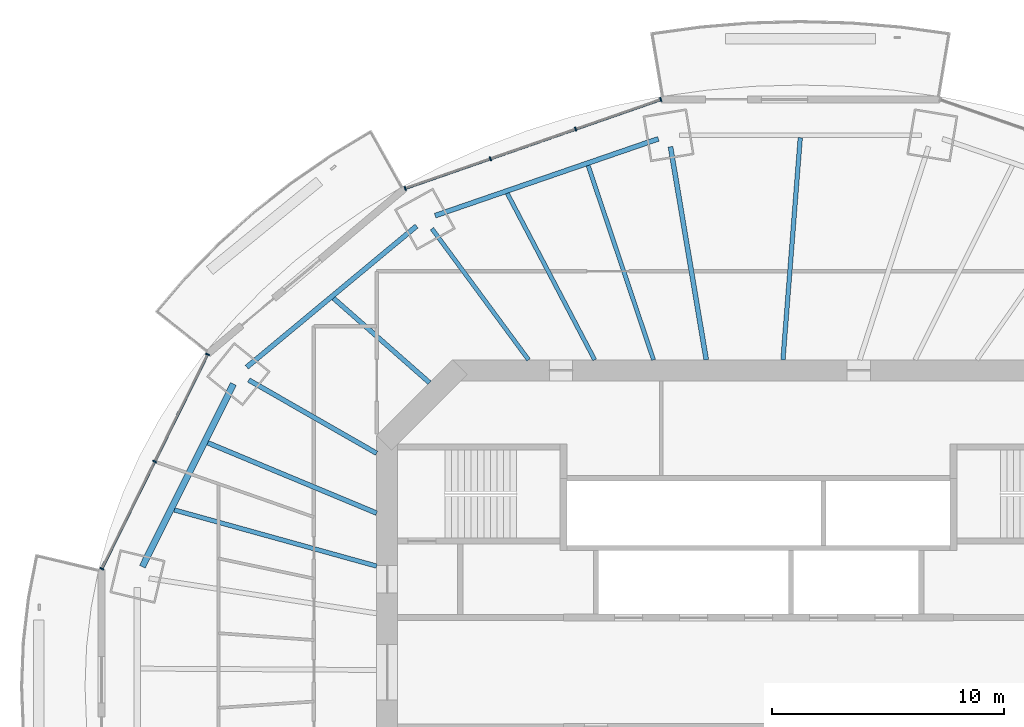
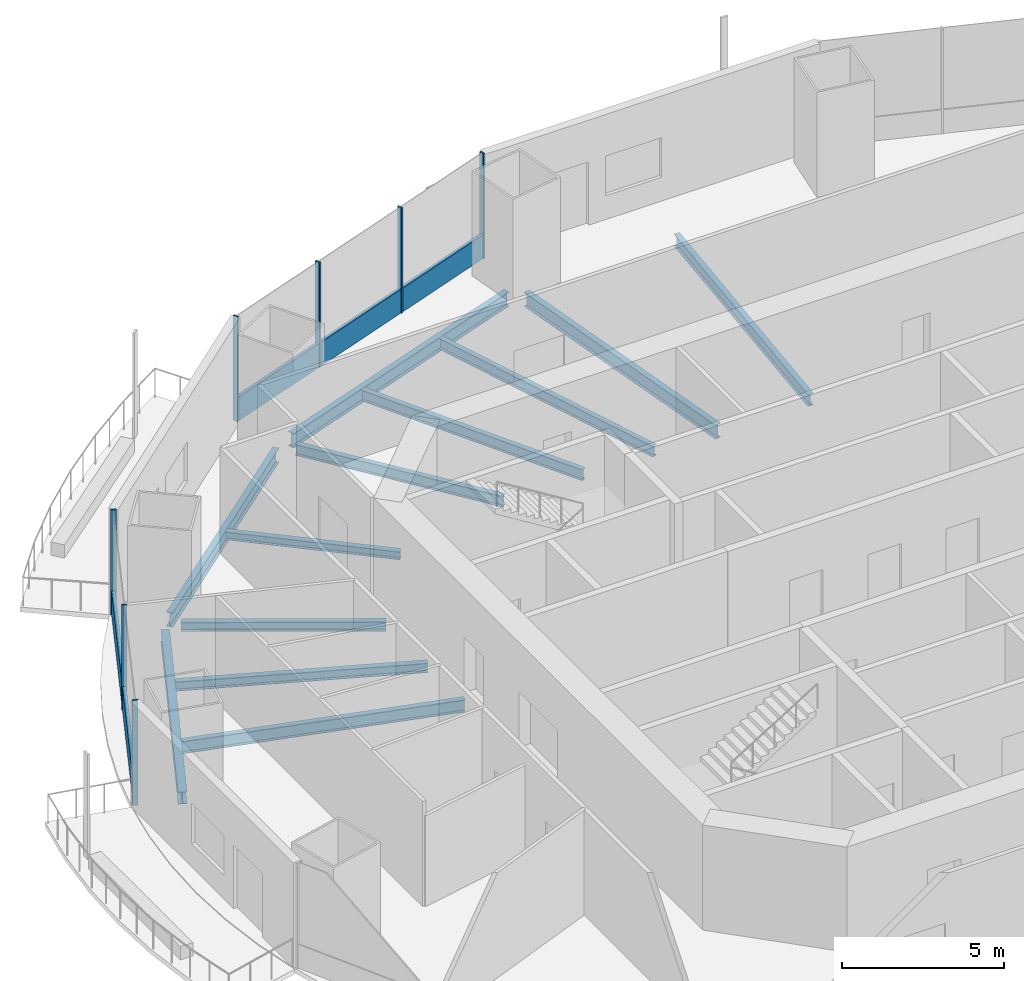
# One storey, part 6 of 19: 12 beams, 9 members, 2 elements without a shape of their own.
"""IFC4 building model written with IfcOpenShell, lengths in metres."""

from ifc_helpers import new_model, si_unit, direction, frame, origin, origin_2d, place, context, subcontext, project, spatial, rectangle, i_section, extrude, material, material_profile, profile_set, type_object, element, aggregate, save


model = new_model("IFC4")

# Units and contexts
model_context = context("Model", 3, precision=1e-05, world=origin(), true_north=direction((0.0, 1.0)))
body_context = subcontext(model_context, "Body", "Model", "MODEL_VIEW")
ifc_project = project(units=[si_unit("LENGTHUNIT", "METRE"), si_unit("AREAUNIT", "SQUARE_METRE"), si_unit("VOLUMEUNIT", "CUBIC_METRE"), si_unit("PLANEANGLEUNIT", "RADIAN"), si_unit("MASSUNIT", "GRAM", prefix="KILO")], contexts=[model_context])

# Site, building, storey
site_placement = place(None, origin())
site = spatial("IfcSite", under=ifc_project, at=site_placement, CompositionType="ELEMENT")
building_placement = place(site_placement, origin())
building = spatial("IfcBuilding", under=site, at=building_placement, Name="Marenthal Gate Tower", CompositionType="ELEMENT")
storey_placement = place(building_placement, frame((0.0, 0.0, 231.60009765625)))
storey = spatial("IfcBuildingStorey", under=building, at=storey_placement, Name="L51", CompositionType="ELEMENT", Elevation=231.60009765625)

# Curtain wall, members
ifc_material_1 = material(Name="Aluminium and glass", Category="aluminium")
curtain_wall_type = type_object("IfcCurtainWallType", Name="Curtain wall typical mid", PredefinedType="NOTDEFINED", material=ifc_material_1)
curtain_wall_1_placement = place(storey_placement, origin())
curtain_wall_1 = element("IfcCurtainWall", 1, at=curtain_wall_1_placement, inside=storey, type_object=curtain_wall_type, Name="Curtain wall L51 bay 5", PredefinedType="NOTDEFINED")
ifc_material_2 = material(Name="Aluminium", Category="aluminium")
ifc_material_profile_1 = material_profile(ifc_material_2, rectangle(XDim=0.179931640625, YDim=0.06005859375, at=origin_2d()), Name="60x180 aluminium mullion")
ifc_profile_set_1 = profile_set([ifc_material_profile_1], Name="Aluminium")
member_type_1 = type_object("IfcMemberType", Name="Mullion 60x180 typical mid", PredefinedType="MULLION", material=ifc_profile_set_1)
member_1_placement = place(storey_placement, frame((-4.21533203125, 24.66015625, 0.0), z_axis=(0.0, 0.0, 1.0), x_axis=(0.328467970612, -0.94451510961, 0.0)))
member_1 = element("IfcMember", 2, at=member_1_placement, type_object=member_type_1, Name="Mullion L51 bay 5.1", PredefinedType="MULLION", context=body_context, shape_type="SweptSolid", body=[
    extrude(rectangle(XDim=0.179931640625, YDim=0.06005859375, at=origin_2d()), origin(), (0.0, 0.0, 1.0), 3.969970703125),
])
member_2_placement = place(storey_placement, frame((-7.8837890625, 23.38427734375, 0.0), z_axis=(0.0, 0.0, 1.0), x_axis=(0.328467970612, -0.94451510961, 0.0)))
member_2 = element("IfcMember", 3, at=member_2_placement, type_object=member_type_1, Name="Mullion L51 bay 5.2", PredefinedType="MULLION", context=body_context, shape_type="SweptSolid", body=[
    extrude(rectangle(XDim=0.179931640625, YDim=0.06005859375, at=origin_2d()), origin(), (0.0, 0.0, 1.0), 3.969970703125),
])
member_3_placement = place(storey_placement, frame((-11.552490234375, 22.1083984375, 0.0), z_axis=(0.0, 0.0, 1.0), x_axis=(0.328467970612, -0.94451510961, 0.0)))
member_3 = element("IfcMember", 4, at=member_3_placement, type_object=member_type_1, Name="Mullion L51 bay 5.3", PredefinedType="MULLION", context=body_context, shape_type="SweptSolid", body=[
    extrude(rectangle(XDim=0.179931640625, YDim=0.06005859375, at=origin_2d()), origin(), (0.0, 0.0, 1.0), 3.969970703125),
])
member_4_placement = place(storey_placement, frame((-15.220947265625, 20.83251953125, 0.0), z_axis=(0.0, 0.0, 1.0), x_axis=(0.328467970612, -0.94451510961, 0.0)))
member_4 = element("IfcMember", 5, at=member_4_placement, type_object=member_type_1, Name="Mullion L51 bay 5.4", PredefinedType="MULLION", context=body_context, shape_type="SweptSolid", body=[
    extrude(rectangle(XDim=0.179931640625, YDim=0.06005859375, at=origin_2d()), origin(), (0.0, 0.0, 1.0), 3.969970703125),
])

curtain_wall_2_placement = place(storey_placement, origin())
curtain_wall_2 = element("IfcCurtainWall", 6, at=curtain_wall_2_placement, inside=storey, type_object=curtain_wall_type, Name="Curtain wall L51 bay 7", PredefinedType="NOTDEFINED")
member_5_placement = place(storey_placement, frame((-23.7294921875, 13.6875, 0.0), z_axis=(0.0, 0.0, 1.0), x_axis=(0.896797507361, -0.442441217329, 0.0)))
member_5 = element("IfcMember", 7, at=member_5_placement, type_object=member_type_1, Name="Mullion L51 bay 7.1", PredefinedType="MULLION", context=body_context, shape_type="SweptSolid", body=[
    extrude(rectangle(XDim=0.179931640625, YDim=0.06005859375, at=origin_2d()), origin(), (0.0, 0.0, 1.0), 3.969970703125),
])
member_6_placement = place(storey_placement, frame((-26.007080078125, 9.0703125, 0.0), z_axis=(0.0, 0.0, 1.0), x_axis=(0.896797507361, -0.442441217329, 0.0)))
member_6 = element("IfcMember", 8, at=member_6_placement, type_object=member_type_1, Name="Mullion L51 bay 7.2", PredefinedType="MULLION", context=body_context, shape_type="SweptSolid", body=[
    extrude(rectangle(XDim=0.179931640625, YDim=0.06005859375, at=origin_2d()), origin(), (0.0, 0.0, 1.0), 3.969970703125),
])
member_7_placement = place(storey_placement, frame((-28.284912109375, 4.453369140625, 0.0), z_axis=(0.0, 0.0, 1.0), x_axis=(0.896797507361, -0.442441217329, 0.0)))
member_7 = element("IfcMember", 9, at=member_7_placement, type_object=member_type_1, Name="Mullion L51 bay 7.3", PredefinedType="MULLION", context=body_context, shape_type="SweptSolid", body=[
    extrude(rectangle(XDim=0.179931640625, YDim=0.06005859375, at=origin_2d()), origin(), (0.0, 0.0, 1.0), 3.969970703125),
])

# Member
ifc_material_3 = material(Name="Aluminium", Category="aluminium")
ifc_material_profile_2 = material_profile(ifc_material_3, rectangle(XDim=0.1201171875, YDim=0.89990234375, at=origin_2d()), Name="120x900 aluminium transom")
ifc_profile_set_2 = profile_set([ifc_material_profile_2], Name="Aluminium")
member_type_2 = type_object("IfcMemberType", Name="Transom 120x900 typical mid", PredefinedType="USERDEFINED", material=ifc_profile_set_2)
member_8_placement = place(storey_placement, frame((-4.24365234375, 24.650146484375, 0.449951171875), z_axis=(-0.944516115654, -0.328465077703, 0.0), x_axis=(0.328465077703, -0.944516115654, 0.0)))
member_8 = element("IfcMember", 10, at=member_8_placement, type_object=member_type_2, Name="Transom L51 bay 5", ObjectType="TRANSOM", PredefinedType="USERDEFINED", context=body_context, shape_type="SweptSolid", body=[
    extrude(rectangle(XDim=0.1201171875, YDim=0.89990234375, at=origin_2d()), origin(), (0.0, 0.0, 1.0), 11.592041015625),
])

aggregate(curtain_wall_1, [member_1, member_2, member_3, member_4, member_8])

member_9_placement = place(storey_placement, frame((-23.74267578125, 13.660400390625, 0.449951171875), z_axis=(-0.442437279824, -0.896799449945, 0.0), x_axis=(0.896799449945, -0.442437279824, 0.0)))
member_9 = element("IfcMember", 11, at=member_9_placement, type_object=member_type_2, Name="Transom L51 bay 7", ObjectType="TRANSOM", PredefinedType="USERDEFINED", context=body_context, shape_type="SweptSolid", body=[
    extrude(rectangle(XDim=0.1201171875, YDim=0.89990234375, at=origin_2d()), origin(), (0.0, 0.0, 1.0), 10.236572265625),
])

aggregate(curtain_wall_2, [member_5, member_6, member_7, member_9])

# Beams
ifc_material_4 = material(Name="Steel S355", Category="steel")
ifc_material_profile_3 = material_profile(ifc_material_4, i_section(OverallWidth=0.202880859375, OverallDepth=0.302001953125, WebThickness=0.007568359375, FlangeThickness=0.01318359375, FilletRadius=0.0126953125, at=origin_2d()), Name="W310X60")
ifc_profile_set_3 = profile_set([ifc_material_profile_3], Name="Steel S355")
beam_type_1 = type_object("IfcBeamType", Name="W310X60 beam", PredefinedType="BEAM", material=ifc_profile_set_3)
beam_1_placement = place(storey_placement, frame((-18.306396484375, 16.101806640625, -0.3310546875), z_axis=(0.750879714516, -0.660438986075, 0.0), x_axis=(0.660438986075, 0.750879714516, 0.0)))
element("IfcBeam", 12, at=beam_1_placement, inside=storey, type_object=beam_type_1, Name="BM-L51-25", PredefinedType="BEAM", context=body_context, shape_type="SweptSolid", body=[
    extrude(i_section(OverallWidth=0.202880859375, OverallDepth=0.302001953125, WebThickness=0.007568359375, FlangeThickness=0.01318359375, FilletRadius=0.0126953125, at=origin_2d()), origin(), (0.0, 0.0, 1.0), 5.5068359375),
])
ifc_material_5 = material(Name="Steel S355", Category="steel")
ifc_material_profile_4 = material_profile(ifc_material_5, i_section(OverallWidth=0.205078125, OverallDepth=0.35302734375, WebThickness=0.009521484375, FlangeThickness=0.016845703125, FilletRadius=0.014892578125, at=origin_2d()), Name="W360X79")
ifc_profile_set_4 = profile_set([ifc_material_profile_4], Name="Steel S355")
beam_type_2 = type_object("IfcBeamType", Name="W360X79 beam", PredefinedType="BEAM", material=ifc_profile_set_4)
beam_2_placement = place(storey_placement, frame((-21.957763671875, 12.581787109375, -0.356689453125), z_axis=(0.867653207063, -0.497169902824, 0.0), x_axis=(0.497169902824, 0.867653207063, 0.0)))
element("IfcBeam", 13, at=beam_2_placement, inside=storey, type_object=beam_type_2, Name="BM-L51-07", PredefinedType="BEAM", context=body_context, shape_type="SweptSolid", body=[
    extrude(i_section(OverallWidth=0.205078125, OverallDepth=0.35302734375, WebThickness=0.009521484375, FlangeThickness=0.016845703125, FilletRadius=0.014892578125, at=origin_2d()), origin(), (0.0, 0.0, 1.0), 6.347900390625),
])
beam_3_placement = place(storey_placement, frame((-23.72216796875, 9.876708984375, -0.356689453125), z_axis=(0.92318966871, -0.384344683307, 0.0), x_axis=(0.384344683307, 0.92318966871, 0.0)))
element("IfcBeam", 14, at=beam_3_placement, inside=storey, type_object=beam_type_2, Name="BM-L51-26", PredefinedType="BEAM", context=body_context, shape_type="SweptSolid", body=[
    extrude(i_section(OverallWidth=0.205078125, OverallDepth=0.35302734375, WebThickness=0.009521484375, FlangeThickness=0.016845703125, FilletRadius=0.014892578125, at=origin_2d()), origin(), (0.0, 0.0, 1.0), 7.877197265625),
])
ifc_material_6 = material(Name="Steel S355", Category="steel")
ifc_material_profile_5 = material_profile(ifc_material_6, i_section(OverallWidth=0.180908203125, OverallDepth=0.4169921875, WebThickness=0.010986328125, FlangeThickness=0.018310546875, FilletRadius=0.01025390625, at=origin_2d()), Name="W410X85")
ifc_profile_set_5 = profile_set([ifc_material_profile_5], Name="Steel S355")
beam_type_3 = type_object("IfcBeamType", Name="W410X85 beam", PredefinedType="BEAM", material=ifc_profile_set_5)
beam_4_placement = place(storey_placement, frame((-14.070068359375, 19.099853515625, -0.388671875), z_axis=(0.593108841301, -0.80512229032, 0.0), x_axis=(0.80512229032, 0.593108841301, 0.0)))
element("IfcBeam", 15, at=beam_4_placement, inside=storey, type_object=beam_type_3, Name="BM-L51-06", PredefinedType="BEAM", context=body_context, shape_type="SweptSolid", body=[
    extrude(i_section(OverallWidth=0.180908203125, OverallDepth=0.4169921875, WebThickness=0.010986328125, FlangeThickness=0.018310546875, FilletRadius=0.01025390625, at=origin_2d()), origin(), (0.0, 0.0, 1.0), 7.017333984375),
])
beam_5_placement = place(storey_placement, frame((-7.342529296875, 21.816162109375, -0.388671875), z_axis=(0.318972820964, -0.947763862724, 0.0), x_axis=(0.947763862724, 0.318972820964, 0.0)))
element("IfcBeam", 16, at=beam_5_placement, inside=storey, type_object=beam_type_3, Name="BM-L51-23", PredefinedType="BEAM", context=body_context, shape_type="SweptSolid", body=[
    extrude(i_section(OverallWidth=0.180908203125, OverallDepth=0.4169921875, WebThickness=0.010986328125, FlangeThickness=0.018310546875, FilletRadius=0.01025390625, at=origin_2d()), origin(), (0.0, 0.0, 1.0), 8.827392578125),
])
beam_6_placement = place(storey_placement, frame((-10.82421875, 20.617919921875, -0.388671875), z_axis=(0.46483389899, -0.885397902838, 0.0), x_axis=(0.885397902838, 0.46483389899, 0.0)))
element("IfcBeam", 17, at=beam_6_placement, inside=storey, type_object=beam_type_3, Name="BM-L51-24", PredefinedType="BEAM", context=body_context, shape_type="SweptSolid", body=[
    extrude(i_section(OverallWidth=0.180908203125, OverallDepth=0.4169921875, WebThickness=0.010986328125, FlangeThickness=0.018310546875, FilletRadius=0.01025390625, at=origin_2d()), origin(), (0.0, 0.0, 1.0), 8.095703125),
])
ifc_material_7 = material(Name="Steel S355", Category="steel")
ifc_material_profile_6 = material_profile(ifc_material_7, i_section(OverallWidth=0.279052734375, OverallDepth=0.4619140625, WebThickness=0.0107421875, FlangeThickness=0.017333984375, FilletRadius=0.010009765625, at=origin_2d()), Name="W460X113")
ifc_profile_set_6 = profile_set([ifc_material_profile_6], Name="Steel S355")
beam_type_4 = type_object("IfcBeamType", Name="W460X113 beam", PredefinedType="BEAM", material=ifc_profile_set_6)
beam_7_placement = place(storey_placement, frame((-22.613037109375, 12.413818359375, -0.4111328125), z_axis=(-0.446158339693, -0.894954041235, 0.0), x_axis=(0.894954041235, -0.446158339693, 0.0)))
element("IfcBeam", 18, at=beam_7_placement, inside=storey, type_object=beam_type_4, Name="BM-L51-47", PredefinedType="BEAM", context=body_context, shape_type="SweptSolid", body=[
    extrude(i_section(OverallWidth=0.279052734375, OverallDepth=0.4619140625, WebThickness=0.0107421875, FlangeThickness=0.017333984375, FilletRadius=0.010009765625, at=origin_2d()), origin(), (0.0, 0.0, 1.0), 8.794189453125),
])
ifc_material_8 = material(Name="Steel S355", Category="steel")
ifc_material_profile_7 = material_profile(ifc_material_8, i_section(OverallWidth=0.193115234375, OverallDepth=0.467041015625, WebThickness=0.011474609375, FlangeThickness=0.01904296875, FilletRadius=0.010009765625, at=origin_2d()), Name="W460X97")
ifc_profile_set_7 = profile_set([ifc_material_profile_7], Name="Steel S355")
beam_type_5 = type_object("IfcBeamType", Name="W460X97 beam", PredefinedType="BEAM", material=ifc_profile_set_7)
beam_8_placement = place(storey_placement, frame((1.791748046875, 23.014404296875, -0.41357421875), z_axis=(-0.077618911056, -0.996983101485, 0.0), x_axis=(0.996983101485, -0.077618911056, 0.0)))
element("IfcBeam", 19, at=beam_8_placement, inside=storey, type_object=beam_type_5, Name="BM-L51-22", PredefinedType="BEAM", context=body_context, shape_type="SweptSolid", body=[
    extrude(i_section(OverallWidth=0.193115234375, OverallDepth=0.467041015625, WebThickness=0.011474609375, FlangeThickness=0.01904296875, FilletRadius=0.010009765625, at=origin_2d()), origin(), (0.0, 0.0, 1.0), 9.593505859375),
])
beam_9_placement = place(storey_placement, frame((-25.1630859375, 6.986328125, -0.41357421875), z_axis=(0.96355000695, -0.267528286555, 0.0), x_axis=(0.267528286555, 0.96355000695, 0.0)))
element("IfcBeam", 20, at=beam_9_placement, inside=storey, type_object=beam_type_5, Name="BM-L51-27", PredefinedType="BEAM", context=body_context, shape_type="SweptSolid", body=[
    extrude(i_section(OverallWidth=0.193115234375, OverallDepth=0.467041015625, WebThickness=0.011474609375, FlangeThickness=0.01904296875, FilletRadius=0.010009765625, at=origin_2d()), origin(), (0.0, 0.0, 1.0), 9.042724609375),
])
ifc_material_9 = material(Name="Steel S355", Category="steel")
ifc_material_profile_8 = material_profile(ifc_material_9, i_section(OverallWidth=0.2099609375, OverallDepth=0.535888671875, WebThickness=0.010986328125, FlangeThickness=0.017333984375, FilletRadius=0.0126953125, at=origin_2d()), Name="W530X101")
ifc_profile_set_8 = profile_set([ifc_material_profile_8], Name="Steel S355")
beam_type_6 = type_object("IfcBeamType", Name="W530X101 beam", PredefinedType="BEAM", material=ifc_profile_set_8)
beam_10_placement = place(storey_placement, frame((-3.7958984375, 22.627197265625, -0.447998046875), z_axis=(0.165445506603, -0.986218933272, 0.0), x_axis=(0.986218933272, 0.165445506603, 0.0)))
element("IfcBeam", 21, at=beam_10_placement, inside=storey, type_object=beam_type_6, Name="BM-L51-05", PredefinedType="BEAM", context=body_context, shape_type="SweptSolid", body=[
    extrude(i_section(OverallWidth=0.2099609375, OverallDepth=0.535888671875, WebThickness=0.010986328125, FlangeThickness=0.017333984375, FilletRadius=0.0126953125, at=origin_2d()), origin(), (0.0, 0.0, 1.0), 9.305419921875),
])
ifc_material_10 = material(Name="Steel S355", Category="steel")
ifc_material_profile_9 = material_profile(ifc_material_10, i_section(OverallWidth=0.2119140625, OverallDepth=0.5439453125, WebThickness=0.01318359375, FlangeThickness=0.021240234375, FilletRadius=0.0126953125, at=origin_2d()), Name="W530X123")
ifc_profile_set_9 = profile_set([ifc_material_profile_9], Name="Steel S355")
beam_type_7 = type_object("IfcBeamType", Name="W530X123 beam", PredefinedType="BEAM", material=ifc_profile_set_9)
beam_11_placement = place(storey_placement, frame((-4.31689453125, 22.969482421875, -0.4521484375), z_axis=(-0.945567746604, -0.325425316443, 0.0), x_axis=(0.325425316443, -0.945567746604, 0.0)))
element("IfcBeam", 22, at=beam_11_placement, inside=storey, type_object=beam_type_7, Name="BM-L51-45", PredefinedType="BEAM", context=body_context, shape_type="SweptSolid", body=[
    extrude(i_section(OverallWidth=0.2119140625, OverallDepth=0.5439453125, WebThickness=0.01318359375, FlangeThickness=0.021240234375, FilletRadius=0.0126953125, at=origin_2d()), origin(), (0.0, 0.0, 1.0), 10.16845703125),
])
beam_12_placement = place(storey_placement, frame((-14.73046875, 19.210693359375, -0.4521484375), z_axis=(-0.769167841857, -0.639046814446, 0.0), x_axis=(0.639046814446, -0.769167841857, 0.0)))
element("IfcBeam", 23, at=beam_12_placement, inside=storey, type_object=beam_type_7, Name="BM-L51-46", PredefinedType="BEAM", context=body_context, shape_type="SweptSolid", body=[
    extrude(i_section(OverallWidth=0.2119140625, OverallDepth=0.5439453125, WebThickness=0.01318359375, FlangeThickness=0.021240234375, FilletRadius=0.0126953125, at=origin_2d()), origin(), (0.0, 0.0, 1.0), 9.505126953125),
])

save(model, "model.ifc")
